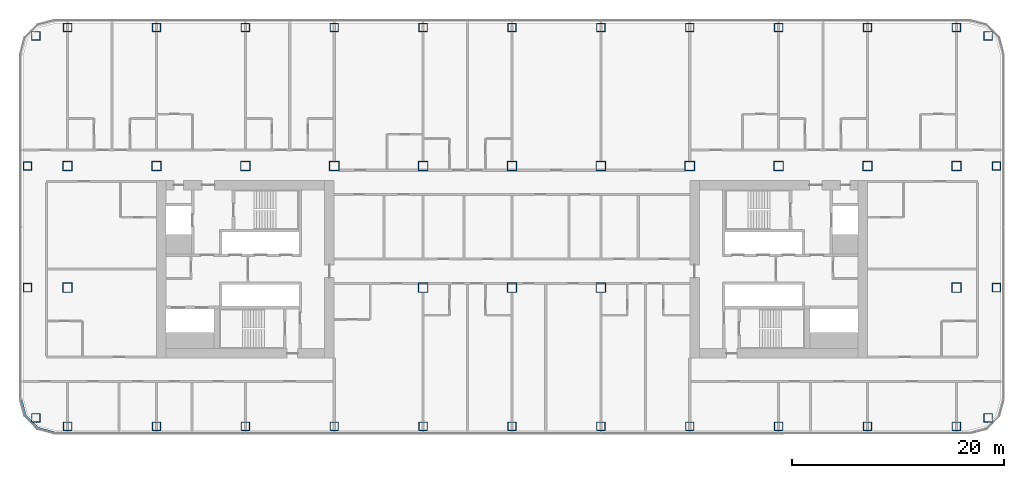
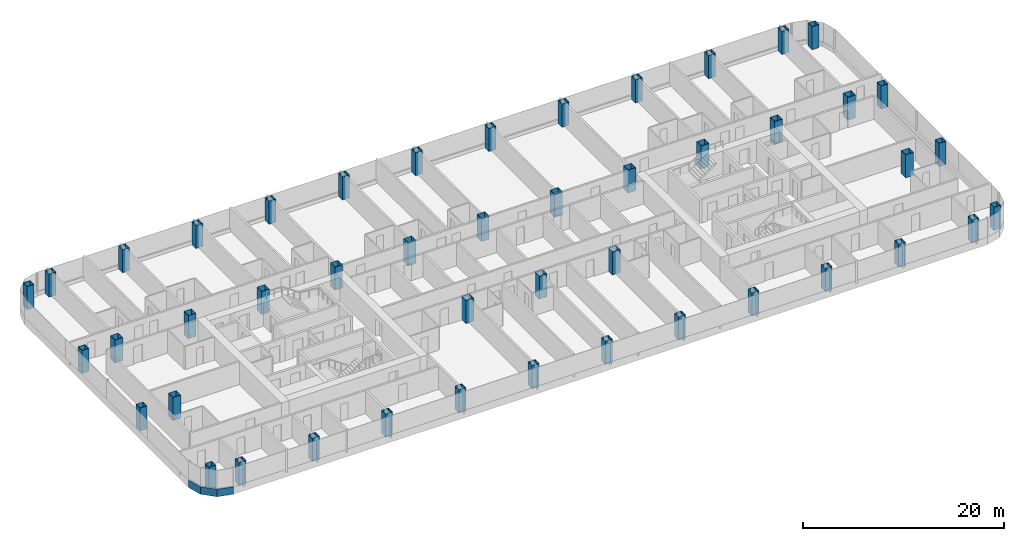
# One storey, part 1 of 29: 46 columns, 1 member, 1 element without a shape of its own.
"""IFC4 building model written with IfcOpenShell, lengths in metres."""

from ifc_helpers import new_model, si_unit, direction, frame, origin, origin_2d, place, context, subcontext, project, spatial, polyline, rectangle, hollow_rectangle, outline, extrude, material, layer, layer_set, material_profile, profile_set, type_object, element, aggregate, save


model = new_model("IFC4")

# Units and contexts
model_context = context("Model", 3, precision=1e-05, world=origin(), true_north=direction((0.0, 1.0)))
body_context = subcontext(model_context, "Body", "Model", "MODEL_VIEW")
ifc_project = project(units=[si_unit("LENGTHUNIT", "METRE"), si_unit("AREAUNIT", "SQUARE_METRE"), si_unit("VOLUMEUNIT", "CUBIC_METRE"), si_unit("PLANEANGLEUNIT", "RADIAN"), si_unit("MASSUNIT", "GRAM", prefix="KILO")], contexts=[model_context])

# Site, building, storey
site_placement = place(None, origin())
site = spatial("IfcSite", under=ifc_project, at=site_placement, CompositionType="ELEMENT")
building_placement = place(site_placement, origin())
building = spatial("IfcBuilding", under=site, at=building_placement, Name="Hakoniwa Tower and Hamabe Station Hall", CompositionType="ELEMENT")
storey_placement = place(building_placement, frame((0.0, 0.0, 113.800048828125)))
storey = spatial("IfcBuildingStorey", under=building, at=storey_placement, Name="L32", CompositionType="ELEMENT", Elevation=113.800048828125)

# Columns
ifc_material_1 = material(Name="Steel SN490C", Category="steel")
ifc_material_profile_1 = material_profile(ifc_material_1, hollow_rectangle(XDim=0.800048828125, YDim=0.800048828125, WallThickness=0.031982421875, at=origin_2d()), Name="BX-800x800x32")
ifc_profile_set_1 = profile_set([ifc_material_profile_1], Name="Steel SN490C")
column_type_1 = type_object("IfcColumnType", Name="COLUMN BX-800x800x32", PredefinedType="COLUMN", material=ifc_profile_set_1)
for number, where, z_axis, x_axis, name in (
    (1, (-45.003173828125, -14.052978515625, 0.0), (0.0, 0.0, 1.0), (1.0, 0.0, 0.0), "Column B2-EW-A2"),
    (2, (-45.800048828125, -1.75, 0.0), (0.0, 0.0, 1.0), (1.0, 0.0, 0.0), "Column B2-EW-C2"),
    (3, (-45.800048828125, 9.75, 0.0), (0.0, 0.0, 1.0), (1.0, 0.0, 0.0), "Column B2-EW-E2"),
    (4, (-45.003173828125, 22.052978515625, 0.0), (0.0, 0.0, 1.0), (1.0, 0.0, 0.0), "Column B2-EW-G2"),
    (5, (-42.0, -14.85009765625, 0.0), (0.0, 0.0, 1.0), (1.0, 0.0, 0.0), "Column B2-2-A2"),
    (6, (-42.0, 22.85009765625, 0.0), (0.0, 0.0, 1.0), (1.0, 0.0, 0.0), "Column B2-2-G2"),
    (7, (-33.60009765625, -14.85009765625, 0.0), (0.0, 0.0, 1.0), (1.0, 0.0, 0.0), "Column B2-3-A2"),
    (8, (-33.60009765625, 22.85009765625, 0.0), (0.0, 0.0, 1.0), (1.0, 0.0, 0.0), "Column B2-3-G2"),
    (9, (-25.199951171875, -14.85009765625, 0.0), (0.0, 0.0, 1.0), (1.0, 0.0, 0.0), "Column B2-4-A2"),
    (10, (-25.199951171875, 22.85009765625, 0.0), (0.0, 0.0, 1.0), (1.0, 0.0, 0.0), "Column B2-4-G2"),
    (11, (-16.800048828125, -14.85009765625, 0.0), (0.0, 0.0, 1.0), (1.0, 0.0, 0.0), "Column B2-5-A2"),
    (12, (-16.800048828125, 22.85009765625, 0.0), (0.0, 0.0, 1.0), (1.0, 0.0, 0.0), "Column B2-5-G2"),
    (13, (-8.39990234375, -14.85009765625, 0.0), (0.0, 0.0, 1.0), (1.0, 0.0, 0.0), "Column B2-6-A2"),
    (14, (-8.39990234375, 22.85009765625, 0.0), (0.0, 0.0, 1.0), (1.0, 0.0, 0.0), "Column B2-6-G2"),
    (15, (0.0, -14.85009765625, 0.0), (0.0, 0.0, 1.0), (1.0, 0.0, 0.0), "Column B2-7-A2"),
    (16, (0.0, 22.85009765625, 0.0), (0.0, 0.0, 1.0), (1.0, 0.0, 0.0), "Column B2-7-G2"),
    (17, (8.39990234375, -14.85009765625, 0.0), (0.0, 0.0, 1.0), (1.0, 0.0, 0.0), "Column B2-8-A2"),
    (18, (8.39990234375, 22.85009765625, 0.0), (0.0, 0.0, 1.0), (1.0, 0.0, 0.0), "Column B2-8-G2"),
    (19, (16.800048828125, -14.85009765625, 0.0), (0.0, 0.0, 1.0), (1.0, 0.0, 0.0), "Column B2-9-A2"),
    (20, (16.800048828125, 22.85009765625, 0.0), (0.0, 0.0, 1.0), (1.0, 0.0, 0.0), "Column B2-9-G2"),
    (21, (25.199951171875, -14.85009765625, 0.0), (0.0, 0.0, 1.0), (1.0, 0.0, 0.0), "Column B2-10-A2"),
    (22, (25.199951171875, 22.85009765625, 0.0), (0.0, 0.0, 1.0), (1.0, 0.0, 0.0), "Column B2-10-G2"),
    (23, (33.60009765625, -14.85009765625, 0.0), (0.0, 0.0, 1.0), (1.0, 0.0, 0.0), "Column B2-11-A2"),
    (24, (33.60009765625, 22.85009765625, 0.0), (0.0, 0.0, 1.0), (1.0, 0.0, 0.0), "Column B2-11-G2"),
    (25, (42.0, -14.85009765625, 0.0), (0.0, 0.0, 1.0), (1.0, 0.0, 0.0), "Column B2-12-A2"),
    (26, (42.0, 22.85009765625, 0.0), (0.0, 0.0, 1.0), (1.0, 0.0, 0.0), "Column B2-12-G2"),
    (27, (45.003173828125, -14.052978515625, 0.0), (0.0, 0.0, 1.0), (1.0, 0.0, 0.0), "Column B2-EE-A2"),
    (28, (45.800048828125, -1.75, 0.0), (0.0, 0.0, 1.0), (1.0, 0.0, 0.0), "Column B2-EE-C2"),
    (29, (45.800048828125, 9.75, 0.0), (0.0, 0.0, 1.0), (1.0, 0.0, 0.0), "Column B2-EE-E2"),
    (30, (45.003173828125, 22.052978515625, 0.0), (0.0, 0.0, 1.0), (1.0, 0.0, 0.0), "Column B2-EE-G2"),
):
    element("IfcColumn", number, at=place(storey_placement, frame(where, z_axis=z_axis, x_axis=x_axis)), inside=storey, type_object=column_type_1, Name=name, PredefinedType="COLUMN", context=body_context, shape_type="SweptSolid", body=[
        extrude(hollow_rectangle(XDim=0.800048828125, YDim=0.800048828125, WallThickness=0.031982421875, at=origin_2d()), origin(), (0.0, 0.0, 1.0), 2.800048828125),
    ])
ifc_material_2 = material(Name="Steel SN490C", Category="steel")
ifc_material_profile_2 = material_profile(ifc_material_2, hollow_rectangle(XDim=0.89990234375, YDim=0.89990234375, WallThickness=0.035888671875, at=origin_2d()), Name="BX-900x900x36")
ifc_profile_set_2 = profile_set([ifc_material_profile_2], Name="Steel SN490C")
column_type_2 = type_object("IfcColumnType", Name="COLUMN BX-900x900x36", PredefinedType="COLUMN", material=ifc_profile_set_2)
for number, where, z_axis, x_axis, name in (
    (31, (-42.0, -1.75, 0.0), (0.0, 0.0, 1.0), (1.0, 0.0, 0.0), "Column B2-2-C2"),
    (32, (-42.0, 9.75, 0.0), (0.0, 0.0, 1.0), (1.0, 0.0, 0.0), "Column B2-2-E2"),
    (33, (-33.60009765625, 9.75, 0.0), (0.0, 0.0, 1.0), (1.0, 0.0, 0.0), "Column B2-3-E2"),
    (34, (-25.199951171875, 9.75, 0.0), (0.0, 0.0, 1.0), (1.0, 0.0, 0.0), "Column B2-4-E2"),
    (35, (-16.800048828125, 9.75, 0.0), (0.0, 0.0, 1.0), (1.0, 0.0, 0.0), "Column B2-5-E2"),
    (36, (-8.39990234375, -1.75, 0.0), (0.0, 0.0, 1.0), (1.0, 0.0, 0.0), "Column B2-6-C2"),
    (37, (-8.39990234375, 9.75, 0.0), (0.0, 0.0, 1.0), (1.0, 0.0, 0.0), "Column B2-6-E2"),
    (38, (0.0, -1.75, 0.0), (0.0, 0.0, 1.0), (1.0, 0.0, 0.0), "Column B2-7-C2"),
    (39, (0.0, 9.75, 0.0), (0.0, 0.0, 1.0), (1.0, 0.0, 0.0), "Column B2-7-E2"),
    (40, (8.39990234375, -1.75, 0.0), (0.0, 0.0, 1.0), (1.0, 0.0, 0.0), "Column B2-8-C2"),
    (41, (8.39990234375, 9.75, 0.0), (0.0, 0.0, 1.0), (1.0, 0.0, 0.0), "Column B2-8-E2"),
    (42, (16.800048828125, 9.75, 0.0), (0.0, 0.0, 1.0), (1.0, 0.0, 0.0), "Column B2-9-E2"),
    (43, (25.199951171875, 9.75, 0.0), (0.0, 0.0, 1.0), (1.0, 0.0, 0.0), "Column B2-10-E2"),
    (44, (33.60009765625, 9.75, 0.0), (0.0, 0.0, 1.0), (1.0, 0.0, 0.0), "Column B2-11-E2"),
    (45, (42.0, -1.75, 0.0), (0.0, 0.0, 1.0), (1.0, 0.0, 0.0), "Column B2-12-C2"),
    (46, (42.0, 9.75, 0.0), (0.0, 0.0, 1.0), (1.0, 0.0, 0.0), "Column B2-12-E2"),
):
    element("IfcColumn", number, at=place(storey_placement, frame(where, z_axis=z_axis, x_axis=x_axis)), inside=storey, type_object=column_type_2, Name=name, PredefinedType="COLUMN", context=body_context, shape_type="SweptSolid", body=[
        extrude(hollow_rectangle(XDim=0.89990234375, YDim=0.89990234375, WallThickness=0.035888671875, at=origin_2d()), origin(), (0.0, 0.0, 1.0), 2.800048828125),
    ])

# Curtain wall, member
ifc_material_3 = material(Name="Dark low-e laminated glass", Category="glass")
ifc_layer = layer(ifc_material_3, 0.199951171875)
ifc_layer_set = layer_set([ifc_layer], Name="CW-1 UNITISED GUEST")
curtain_wall_type = type_object("IfcCurtainWallType", Name="CW-1 UNITISED GUEST", PredefinedType="NOTDEFINED", material=ifc_layer_set)
curtain_wall_placement = place(storey_placement, origin())
curtain_wall = element("IfcCurtainWall", 47, at=curtain_wall_placement, inside=storey, type_object=curtain_wall_type, Name="CW-1 curtain wall", PredefinedType="NOTDEFINED")
ifc_material_4 = material(Name="Aluminium 6063-T5 black anodised", Category="aluminium")
ifc_material_profile_3 = material_profile(ifc_material_4, rectangle(XDim=0.199951171875, YDim=0.89990234375, at=origin_2d()), Name="CW SLAB-EDGE BAND 900X200")
ifc_profile_set_3 = profile_set([ifc_material_profile_3], Name="Aluminium 6063-T5 black anodised")
member_type = type_object("IfcMemberType", Name="CW SLAB-EDGE BAND 900X200", PredefinedType="USERDEFINED", material=ifc_profile_set_3)
member_placement = place(storey_placement, frame((0.0, 0.0, -0.550048828125)))
member = element("IfcMember", 48, at=member_placement, type_object=member_type, Name="CW-1 transom", ObjectType="TRANSOM", PredefinedType="USERDEFINED", context=body_context, shape_type="SweptSolid", body=[
    extrude(outline(polyline([(-46.5, -12.28955078125), (-46.067138671875, -13.9052734375), (-44.855224609375, -15.116943359375), (-43.239501953125, -15.550048828125), (-43.187744140625, -15.35693359375), (-44.751708984375, -14.937744140625), (-45.8876953125, -13.8017578125), (-46.306884765625, -12.23779296875), (-46.5, -12.28955078125)])), origin(), (0.0, 0.0, 1.0), 0.89990234375),
])
aggregate(curtain_wall, [member])

save(model, "model.ifc")
